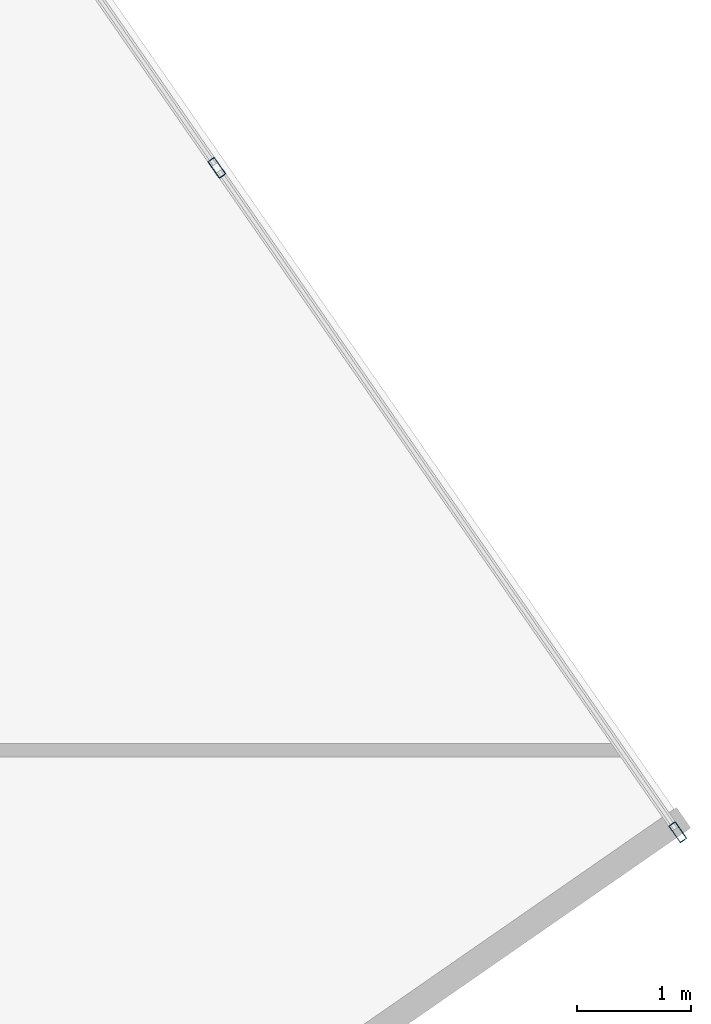
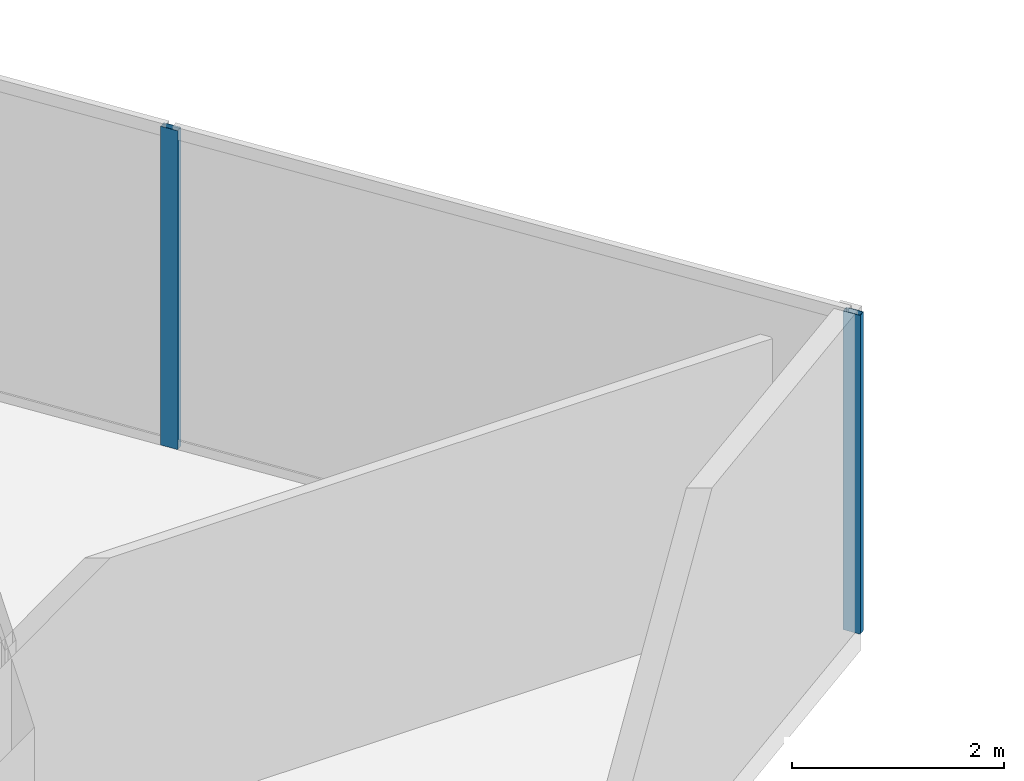
# One storey, part 11 of 21: 2 members, 1 element without a shape of its own.
"""IFC4 building model written with IfcOpenShell, lengths in metres."""

from ifc_helpers import new_model, si_unit, direction, frame, origin, origin_2d, place, context, subcontext, project, spatial, hollow_rectangle, extrude, source, transform, mapped, material, material_profile, profile_set, type_object, type_shapes, element, aggregate, save


model = new_model("IFC4")

# Units and contexts
model_context = context("Model", 3, precision=1e-05, world=origin(), true_north=direction((0.0, 1.0)))
body_context = subcontext(model_context, "Body", "Model", "MODEL_VIEW")
ifc_project = project(units=[si_unit("LENGTHUNIT", "METRE"), si_unit("AREAUNIT", "SQUARE_METRE"), si_unit("VOLUMEUNIT", "CUBIC_METRE"), si_unit("PLANEANGLEUNIT", "RADIAN"), si_unit("MASSUNIT", "GRAM", prefix="KILO")], contexts=[model_context])

# Site, building, storey
site_placement = place(None, origin())
site = spatial("IfcSite", under=ifc_project, at=site_placement, CompositionType="ELEMENT")
building_placement = place(site_placement, origin())
building = spatial("IfcBuilding", under=site, at=building_placement, Name="Krantzveldt Concourse Tower", CompositionType="ELEMENT")
storey_placement = place(building_placement, frame((0.0, 0.0, 275.300048828125)))
storey = spatial("IfcBuildingStorey", under=building, at=storey_placement, Name="L67", CompositionType="ELEMENT", Elevation=275.300048828125)

# Curtain wall, members
ifc_material = material(Name="Anodised aluminium 6063-T6", Category="aluminium")
curtain_wall_type = type_object("IfcCurtainWallType", Name="CW4", PredefinedType="USERDEFINED", material=ifc_material)
curtain_wall_placement = place(storey_placement, origin())
curtain_wall = element("IfcCurtainWall", 1, at=curtain_wall_placement, inside=storey, type_object=curtain_wall_type, Name="CW-L67-F14", ObjectType="UNITISED CURTAIN WALL", PredefinedType="USERDEFINED")
ifc_material_profile = material_profile(ifc_material, hollow_rectangle(XDim=0.070068359375, YDim=0.179931640625, WallThickness=0.0048828125, at=origin_2d()), Name="Anodised aluminium 6063-T6", Category="aluminium")
ifc_profile_set = profile_set([ifc_material_profile], Name="Anodised aluminium 6063-T6 - ALU-MULL 180x70x5")
member_type = type_object("IfcMemberType", Name="CW-MUL-180", PredefinedType="MULLION", material=ifc_profile_set)
shared_shape = source(origin(), body_context, "Body", "SweptSolid", [
    extrude(hollow_rectangle(XDim=0.070068359375, YDim=0.179931640625, WallThickness=0.0048828125, at=origin_2d()), origin(), (0.0, 0.0, 1.0), 3.669921875),
])
type_shapes(member_type, [shared_shape])
member_1_placement = place(storey_placement, frame((60.161376953125, 26.099853515625, 0.0), z_axis=(0.0, 0.0, 1.0), x_axis=(-0.821647031735, -0.569996627395, 0.0)))
member_1 = element("IfcMember", 2, at=member_1_placement, type_object=member_type, Name="CW-Z56 mullion 1", PredefinedType="MULLION", context=body_context, shape_type="MappedRepresentation", body=[
    mapped(shared_shape, transform((0.0, 0.0, 0.0), x_axis=(1.0, 0.0, 0.0), y_axis=(0.0, 1.0, 0.0), z_axis=(0.0, 0.0, 1.0), scale=1.0)),
])
member_2_placement = place(storey_placement, frame((56.105712890625, 31.94580078125, 0.0), z_axis=(0.0, 0.0, 1.0), x_axis=(-0.821647031735, -0.569996627395, 0.0)))
member_2 = element("IfcMember", 3, at=member_2_placement, type_object=member_type, Name="CW-Z56 mullion 2", PredefinedType="MULLION", context=body_context, shape_type="MappedRepresentation", body=[
    mapped(shared_shape, transform((0.0, 0.0, 0.0), x_axis=(1.0, 0.0, 0.0), y_axis=(0.0, 1.0, 0.0), z_axis=(0.0, 0.0, 1.0), scale=1.0)),
])
aggregate(curtain_wall, [member_1, member_2])

save(model, "model.ifc")
